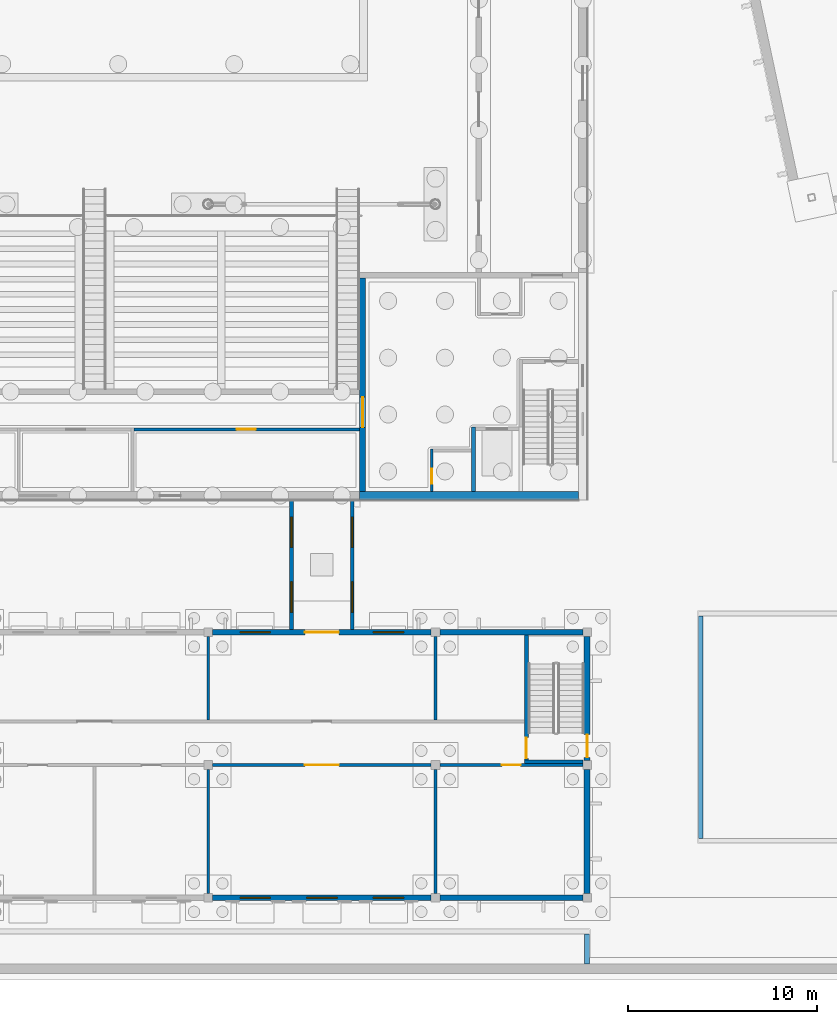
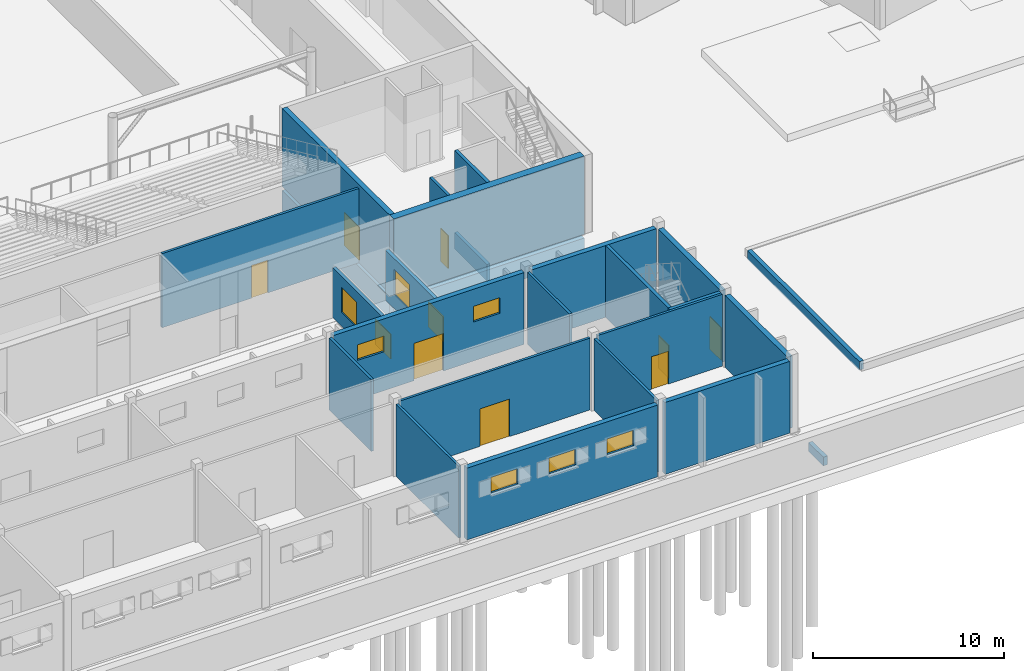
# One storey, part 100 of 157: 26 walls, 9 windows, 8 doors, 17 openings.
"""IFC4 building model written with IfcOpenShell, lengths in metres."""

from ifc_helpers import new_model, si_unit, direction, frame, frame_2d, origin, place, context, subcontext, project, spatial, rectangle, extrude, material, layer, layer_set, type_object, element, fill, save


model = new_model("IFC4")

# Units and contexts
model_context = context("Model", 3, precision=1e-05, world=origin(), true_north=direction((0.0, 1.0)))
body_context = subcontext(model_context, "Body", "Model", "MODEL_VIEW")
ifc_project = project(units=[si_unit("LENGTHUNIT", "METRE"), si_unit("AREAUNIT", "SQUARE_METRE"), si_unit("VOLUMEUNIT", "CUBIC_METRE"), si_unit("PLANEANGLEUNIT", "RADIAN"), si_unit("MASSUNIT", "GRAM", prefix="KILO")], contexts=[model_context])

# Site, building, storey
site_placement = place(None, origin())
site = spatial("IfcSite", under=ifc_project, at=site_placement, CompositionType="ELEMENT")
building_placement = place(site_placement, origin())
building = spatial("IfcBuilding", under=site, at=building_placement, Name="Windward Yard Aquatics Centre", CompositionType="ELEMENT")
storey_placement = place(building_placement, origin())
storey = spatial("IfcBuildingStorey", under=building, at=storey_placement, Name="L00", CompositionType="ELEMENT", Elevation=0.0)

# Wall, opening, door
ifc_material_1 = material(Name="Concrete masonry unit plastered", Category="masonry")
ifc_layer_1 = layer(ifc_material_1, 0.14990234375)
ifc_layer_set_1 = layer_set([ifc_layer_1], Name="C block partition 150")
wall_type_1 = type_object("IfcWallType", Name="C block partition 150", PredefinedType="PARTITIONING", material=ifc_layer_set_1)
wall_1_placement = place(storey_placement, frame((132.22509765625, 12.0, 0.0), z_axis=(0.0, 0.0, 1.0), x_axis=(1.0, 0.0, 0.0)))
wall_1 = element("IfcWall", 1, at=wall_1_placement, inside=storey, type_object=wall_type_1, Name="C.W.L00.SP.S.8", PredefinedType="PARTITIONING", context=body_context, shape_type="SweptSolid", body=[
    extrude(rectangle(XDim=11.5498046875, YDim=0.14990234375, at=frame_2d((5.77490234375, 0.0))), origin(), (0.0, 0.0, 1.0), 4.60009765625),
])
opening_1_placement = place(wall_1_placement, frame((4.875, 0.0, 0.0)))
opening_1 = element("IfcOpeningElement", 2, at=opening_1_placement, cuts=wall_1, Name="Opening C0013", PredefinedType="OPENING", context=body_context, shape_type="SweptSolid", body=[
    extrude(rectangle(XDim=1.800048828125, YDim=2.39990234375, at=frame_2d((0.89990234375, 1.199951171875))), frame((0.0, 0.0849609375, 0.0), z_axis=(0.0, -1.0, 0.0), x_axis=(1.0, 0.0, 0.0)), (0.0, 0.0, 1.0), 0.169921875),
])
ifc_material_2 = material(Name="Timber door leaf in steel frame", Category="steel")
door_type_1 = type_object("IfcDoorType", Name="C double door 1800X2400 FD30S", OperationType="DOUBLE_DOOR_SINGLE_SWING", PredefinedType="DOOR", material=ifc_material_2)
door_1_placement = place(opening_1_placement, origin())
door_1 = element("IfcDoor", 3, at=door_1_placement, inside=storey, type_object=door_type_1, Name="Door C0013", OperationType="DOUBLE_DOOR_SINGLE_SWING", OverallHeight=2.39990234375, OverallWidth=1.800048828125, PredefinedType="DOOR", context=body_context, shape_type="SweptSolid", body=[
    extrude(rectangle(XDim=1.800048828125, YDim=2.39990234375, at=frame_2d((0.89990234375, 1.199951171875))), frame((0.0, 0.02490234375, 0.0), z_axis=(0.0, -1.0, 0.0), x_axis=(1.0, 0.0, 0.0)), (0.0, 0.0, 1.0), 0.050048828125),
])
fill(opening_1, door_1)

wall_2_placement = place(storey_placement, frame((144.22509765625, 12.0, 0.0), z_axis=(0.0, 0.0, 1.0), x_axis=(1.0, 0.0, 0.0)))
wall_2 = element("IfcWall", 4, at=wall_2_placement, inside=storey, type_object=wall_type_1, Name="C.W.L00.SP.S.9", PredefinedType="PARTITIONING", context=body_context, shape_type="SweptSolid", body=[
    extrude(rectangle(XDim=7.5498046875, YDim=0.14990234375, at=frame_2d((3.77490234375, 0.0))), origin(), (0.0, 0.0, 1.0), 4.60009765625),
])
opening_2_placement = place(wall_2_placement, frame((3.27490234375, 0.0, 0.0)))
opening_2 = element("IfcOpeningElement", 5, at=opening_2_placement, cuts=wall_2, Name="Opening C0014", PredefinedType="OPENING", context=body_context, shape_type="SweptSolid", body=[
    extrude(rectangle(XDim=1.0, YDim=2.10009765625, at=frame_2d((0.5, 1.050048828125))), frame((0.0, 0.0849609375, 0.0), z_axis=(0.0, -1.0, 0.0), x_axis=(1.0, 0.0, 0.0)), (0.0, 0.0, 1.0), 0.169921875),
])
door_type_2 = type_object("IfcDoorType", Name="C door 1000X2100 FD30S", OperationType="SINGLE_SWING_LEFT", PredefinedType="DOOR", material=ifc_material_2)
door_2_placement = place(opening_2_placement, origin())
door_2 = element("IfcDoor", 6, at=door_2_placement, inside=storey, type_object=door_type_2, Name="Door C0014", OperationType="SINGLE_SWING_LEFT", OverallHeight=2.10009765625, OverallWidth=1.0, PredefinedType="DOOR", context=body_context, shape_type="SweptSolid", body=[
    extrude(rectangle(XDim=1.0, YDim=2.10009765625, at=frame_2d((0.5, 1.050048828125))), frame((0.0, 0.02490234375, 0.0), z_axis=(0.0, -1.0, 0.0), x_axis=(1.0, 0.0, 0.0)), (0.0, 0.0, 1.0), 0.050048828125),
])
fill(opening_2, door_2)

# Walls
for number, where, z_axis, x_axis, name in (
    (7, (132.0, 5.22509765625, 0.0), (0.0, 0.0, 1.0), (0.0, 1.0, 0.0), "C.W.L00.SD.80.1"),
    (8, (144.0, 5.22509765625, 0.0), (0.0, 0.0, 1.0), (0.0, 1.0, 0.0), "C.W.L00.SD.92.1"),
):
    element("IfcWall", number, at=place(storey_placement, frame(where, z_axis=z_axis, x_axis=x_axis)), inside=storey, type_object=wall_type_1, Name=name, PredefinedType="PARTITIONING", context=body_context, shape_type="SweptSolid", body=[
        extrude(rectangle(XDim=6.5498046875, YDim=0.14990234375, at=frame_2d((3.27490234375, 0.0))), origin(), (0.0, 0.0, 1.0), 4.60009765625),
    ])
for number, where, z_axis, x_axis, name in (
    (9, (132.0, 14.375, 0.0), (0.0, 0.0, 1.0), (0.0, 1.0, 0.0), "C.W.L00.ND.80.1"),
    (10, (144.0, 14.375, 0.0), (0.0, 0.0, 1.0), (0.0, 1.0, 0.0), "C.W.L00.ND.92.1"),
):
    element("IfcWall", number, at=place(storey_placement, frame(where, z_axis=z_axis, x_axis=x_axis)), inside=storey, type_object=wall_type_1, Name=name, PredefinedType="PARTITIONING", context=body_context, shape_type="SweptSolid", body=[
        extrude(rectangle(XDim=4.39990234375, YDim=0.14990234375, at=frame_2d((2.199951171875, 0.0))), origin(), (0.0, 0.0, 1.0), 4.60009765625),
    ])

# Wall, opening, door
ifc_material_3 = material(Name="Concrete C35/45", Category="concrete")
ifc_layer_2 = layer(ifc_material_3, 0.199951171875)
ifc_layer_set_2 = layer_set([ifc_layer_2], Name="C core enclosure wall 200")
wall_type_2 = type_object("IfcWallType", Name="C core enclosure wall 200", PredefinedType="SOLIDWALL", material=ifc_layer_set_2)
wall_3_placement = place(storey_placement, frame((148.800048828125, 12.27490234375, 0.0), z_axis=(0.0, 0.0, 1.0), x_axis=(0.0, 1.0, 0.0)))
wall_3 = element("IfcWall", 11, at=wall_3_placement, inside=storey, type_object=wall_type_2, Name="C.W.L00.SE2.D", PredefinedType="SOLIDWALL", context=body_context, shape_type="SweptSolid", body=[
    extrude(rectangle(XDim=6.5751953125, YDim=0.199951171875, at=frame_2d((3.28759765625, 0.0))), origin(), (0.0, 0.0, 1.0), 4.60009765625),
])
opening_3_placement = place(wall_3_placement, frame((0.074951171875, 0.0, 0.0)))
opening_3 = element("IfcOpeningElement", 12, at=opening_3_placement, cuts=wall_3, Name="Opening C0027", PredefinedType="OPENING", context=body_context, shape_type="SweptSolid", body=[
    extrude(rectangle(XDim=1.10009765625, YDim=2.10009765625, at=frame_2d((0.550048828125, 1.050048828125))), frame((0.0, 0.10986328125, 0.0), z_axis=(0.0, -1.0, 0.0), x_axis=(1.0, 0.0, 0.0)), (0.0, 0.0, 1.0), 0.219970703125),
])
ifc_material_4 = material(Name="Steel door leaf in steel frame", Category="steel")
door_type_3 = type_object("IfcDoorType", Name="C steel door 1100X2100 FD60", OperationType="SINGLE_SWING_LEFT", PredefinedType="DOOR", material=ifc_material_4)
door_3_placement = place(opening_3_placement, origin())
door_3 = element("IfcDoor", 13, at=door_3_placement, inside=storey, type_object=door_type_3, Name="Door C0027", OperationType="SINGLE_SWING_LEFT", OverallHeight=2.10009765625, OverallWidth=1.10009765625, PredefinedType="DOOR", context=body_context, shape_type="SweptSolid", body=[
    extrude(rectangle(XDim=1.10009765625, YDim=2.10009765625, at=frame_2d((0.550048828125, 1.050048828125))), frame((0.0, 0.02490234375, 0.0), z_axis=(0.0, -1.0, 0.0), x_axis=(1.0, 0.0, 0.0)), (0.0, 0.0, 1.0), 0.050048828125),
])
fill(opening_3, door_3)

# Wall
wall_4_placement = place(storey_placement, frame((148.699951171875, 12.175048828125, 0.0), z_axis=(0.0, 0.0, 1.0), x_axis=(1.0, 0.0, 0.0)))
element("IfcWall", 14, at=wall_4_placement, inside=storey, type_object=wall_type_2, Name="C.W.L00.SE2.S", PredefinedType="SOLIDWALL", context=body_context, shape_type="SweptSolid", body=[
    extrude(rectangle(XDim=3.074951171875, YDim=0.199951171875, at=frame_2d((1.53759765625, 0.0))), origin(), (0.0, 0.0, 1.0), 4.60009765625),
])

# Wall, openings, windows
ifc_layer_3 = layer(ifc_material_3, 0.199951171875)
ifc_layer_set_3 = layer_set([ifc_layer_3], Name="C link side wall 200")
wall_type_3 = type_object("IfcWallType", Name="C link side wall 200", PredefinedType="ELEMENTEDWALL", material=ifc_layer_set_3)
wall_5_placement = place(storey_placement, frame((136.39990234375, 19.14990234375, 0.0), z_axis=(0.0, 0.0, 1.0), x_axis=(0.0, 1.0, 0.0)))
wall_5 = element("IfcWall", 15, at=wall_5_placement, inside=storey, type_object=wall_type_3, Name="C.W.X.V4V1.3.N", PredefinedType="ELEMENTEDWALL", context=body_context, shape_type="SweptSolid", body=[
    extrude(rectangle(XDim=6.85009765625, YDim=0.199951171875, at=frame_2d((3.425048828125, 0.0))), origin(), (0.0, 0.0, 1.0), 3.199951171875),
])
opening_4_placement = place(wall_5_placement, frame((0.91259765625, 0.0, 0.89990234375)))
opening_4 = element("IfcOpeningElement", 16, at=opening_4_placement, cuts=wall_5, Name="Opening CW0046", PredefinedType="OPENING", context=body_context, shape_type="SweptSolid", body=[
    extrude(rectangle(XDim=1.60009765625, YDim=1.60009765625, at=frame_2d((0.800048828125, 0.800048828125))), frame((0.0, 0.10986328125, 0.0), z_axis=(0.0, -1.0, 0.0), x_axis=(1.0, 0.0, 0.0)), (0.0, 0.0, 1.0), 0.219970703125),
])
opening_5_placement = place(wall_5_placement, frame((4.33740234375, 0.0, 0.89990234375)))
opening_5 = element("IfcOpeningElement", 17, at=opening_5_placement, cuts=wall_5, Name="Opening CW0047", PredefinedType="OPENING", context=body_context, shape_type="SweptSolid", body=[
    extrude(rectangle(XDim=1.60009765625, YDim=1.60009765625, at=frame_2d((0.800048828125, 0.800048828125))), frame((0.0, 0.10986328125, 0.0), z_axis=(0.0, -1.0, 0.0), x_axis=(1.0, 0.0, 0.0)), (0.0, 0.0, 1.0), 0.219970703125),
])
ifc_material_5 = material(Name="Aluminium framed double glazing", Category="aluminium")
window_type_1 = type_object("IfcWindowType", Name="C window 1600X1600", PartitioningType="SINGLE_PANEL", PredefinedType="WINDOW", material=ifc_material_5)
window_1_placement = place(opening_4_placement, origin())
window_1 = element("IfcWindow", 18, at=window_1_placement, inside=storey, type_object=window_type_1, Name="Window CW0046", OverallHeight=1.60009765625, OverallWidth=1.60009765625, PartitioningType="SINGLE_PANEL", PredefinedType="WINDOW", context=body_context, shape_type="SweptSolid", body=[
    extrude(rectangle(XDim=1.60009765625, YDim=1.60009765625, at=frame_2d((0.800048828125, 0.800048828125))), frame((0.0, 0.030029296875, 0.0), z_axis=(0.0, -1.0, 0.0), x_axis=(1.0, 0.0, 0.0)), (0.0, 0.0, 1.0), 0.06005859375),
])
fill(opening_4, window_1)
window_2_placement = place(opening_5_placement, origin())
window_2 = element("IfcWindow", 19, at=window_2_placement, inside=storey, type_object=window_type_1, Name="Window CW0047", OverallHeight=1.60009765625, OverallWidth=1.60009765625, PartitioningType="SINGLE_PANEL", PredefinedType="WINDOW", context=body_context, shape_type="SweptSolid", body=[
    extrude(rectangle(XDim=1.60009765625, YDim=1.60009765625, at=frame_2d((0.800048828125, 0.800048828125))), frame((0.0, 0.030029296875, 0.0), z_axis=(0.0, -1.0, 0.0), x_axis=(1.0, 0.0, 0.0)), (0.0, 0.0, 1.0), 0.06005859375),
])
fill(opening_5, window_2)

wall_6_placement = place(storey_placement, frame((139.60009765625, 19.14990234375, 0.0), z_axis=(0.0, 0.0, 1.0), x_axis=(0.0, 1.0, 0.0)))
wall_6 = element("IfcWall", 20, at=wall_6_placement, inside=storey, type_object=wall_type_3, Name="C.W.X.V4V1.3.S", PredefinedType="ELEMENTEDWALL", context=body_context, shape_type="SweptSolid", body=[
    extrude(rectangle(XDim=6.85009765625, YDim=0.199951171875, at=frame_2d((3.425048828125, 0.0))), origin(), (0.0, 0.0, 1.0), 3.199951171875),
])
opening_6_placement = place(wall_6_placement, frame((0.91259765625, 0.0, 0.89990234375)))
opening_6 = element("IfcOpeningElement", 21, at=opening_6_placement, cuts=wall_6, Name="Opening CW0048", PredefinedType="OPENING", context=body_context, shape_type="SweptSolid", body=[
    extrude(rectangle(XDim=1.60009765625, YDim=1.60009765625, at=frame_2d((0.800048828125, 0.800048828125))), frame((0.0, 0.10986328125, 0.0), z_axis=(0.0, -1.0, 0.0), x_axis=(1.0, 0.0, 0.0)), (0.0, 0.0, 1.0), 0.219970703125),
])
opening_7_placement = place(wall_6_placement, frame((4.33740234375, 0.0, 0.89990234375)))
opening_7 = element("IfcOpeningElement", 22, at=opening_7_placement, cuts=wall_6, Name="Opening CW0049", PredefinedType="OPENING", context=body_context, shape_type="SweptSolid", body=[
    extrude(rectangle(XDim=1.60009765625, YDim=1.60009765625, at=frame_2d((0.800048828125, 0.800048828125))), frame((0.0, 0.10986328125, 0.0), z_axis=(0.0, -1.0, 0.0), x_axis=(1.0, 0.0, 0.0)), (0.0, 0.0, 1.0), 0.219970703125),
])
window_3_placement = place(opening_6_placement, origin())
window_3 = element("IfcWindow", 23, at=window_3_placement, inside=storey, type_object=window_type_1, Name="Window CW0048", OverallHeight=1.60009765625, OverallWidth=1.60009765625, PartitioningType="SINGLE_PANEL", PredefinedType="WINDOW", context=body_context, shape_type="SweptSolid", body=[
    extrude(rectangle(XDim=1.60009765625, YDim=1.60009765625, at=frame_2d((0.800048828125, 0.800048828125))), frame((0.0, 0.030029296875, 0.0), z_axis=(0.0, -1.0, 0.0), x_axis=(1.0, 0.0, 0.0)), (0.0, 0.0, 1.0), 0.06005859375),
])
fill(opening_6, window_3)
window_4_placement = place(opening_7_placement, origin())
window_4 = element("IfcWindow", 24, at=window_4_placement, inside=storey, type_object=window_type_1, Name="Window CW0049", OverallHeight=1.60009765625, OverallWidth=1.60009765625, PartitioningType="SINGLE_PANEL", PredefinedType="WINDOW", context=body_context, shape_type="SweptSolid", body=[
    extrude(rectangle(XDim=1.60009765625, YDim=1.60009765625, at=frame_2d((0.800048828125, 0.800048828125))), frame((0.0, 0.030029296875, 0.0), z_axis=(0.0, -1.0, 0.0), x_axis=(1.0, 0.0, 0.0)), (0.0, 0.0, 1.0), 0.06005859375),
])
fill(opening_7, window_4)

ifc_material_6 = material(Name="Natural stone cladding", Category="masonry")
ifc_layer_4 = layer(ifc_material_6, 0.04, Name="Cladding")
ifc_material_7 = material(Name="Ventilated air cavity")
ifc_layer_5 = layer(ifc_material_7, 0.04, ventilated=True, Name="Ventilated cavity")
ifc_material_8 = material(Name="Mineral wool insulation")
ifc_layer_6 = layer(ifc_material_8, 0.06, Name="Insulation")
ifc_layer_7 = layer(ifc_material_3, 0.16, Name="Structure")
ifc_layer_set_4 = layer_set([ifc_layer_4, ifc_layer_5, ifc_layer_6, ifc_layer_7], Name="C stone-faced external wall 300")
wall_type_4 = type_object("IfcWallType", Name="C stone-faced external wall 300", PredefinedType="ELEMENTEDWALL", material=ifc_layer_set_4)
wall_7_placement = place(storey_placement, frame((132.22509765625, 5.0, 0.0), z_axis=(0.0, 0.0, 1.0), x_axis=(1.0, 0.0, 0.0)))
wall_7 = element("IfcWall", 25, at=wall_7_placement, inside=storey, type_object=wall_type_4, Name="C.W.L00.S8", PredefinedType="ELEMENTEDWALL", context=body_context, shape_type="SweptSolid", body=[
    extrude(rectangle(XDim=11.5498046875, YDim=0.300048828125, at=frame_2d((5.77490234375, 0.0))), origin(), (0.0, 0.0, 1.0), 4.60009765625),
])
opening_8_placement = place(wall_7_placement, frame((1.458251953125, 0.0, 2.5)))
opening_8 = element("IfcOpeningElement", 26, at=opening_8_placement, cuts=wall_7, Name="Opening CW0018", PredefinedType="OPENING", context=body_context, shape_type="SweptSolid", body=[
    extrude(rectangle(XDim=1.60009765625, YDim=1.0, at=frame_2d((0.800048828125, 0.5))), frame((0.0, 0.16015625, 0.0), z_axis=(0.0, -1.0, 0.0), x_axis=(1.0, 0.0, 0.0)), (0.0, 0.0, 1.0), 0.320068359375),
])
opening_9_placement = place(wall_7_placement, frame((4.97509765625, 0.0, 2.5)))
opening_9 = element("IfcOpeningElement", 27, at=opening_9_placement, cuts=wall_7, Name="Opening CW0019", PredefinedType="OPENING", context=body_context, shape_type="SweptSolid", body=[
    extrude(rectangle(XDim=1.60009765625, YDim=1.0, at=frame_2d((0.800048828125, 0.5))), frame((0.0, 0.16015625, 0.0), z_axis=(0.0, -1.0, 0.0), x_axis=(1.0, 0.0, 0.0)), (0.0, 0.0, 1.0), 0.320068359375),
])
opening_10_placement = place(wall_7_placement, frame((8.49169921875, 0.0, 2.5)))
opening_10 = element("IfcOpeningElement", 28, at=opening_10_placement, cuts=wall_7, Name="Opening CW0020", PredefinedType="OPENING", context=body_context, shape_type="SweptSolid", body=[
    extrude(rectangle(XDim=1.60009765625, YDim=1.0, at=frame_2d((0.800048828125, 0.5))), frame((0.0, 0.16015625, 0.0), z_axis=(0.0, -1.0, 0.0), x_axis=(1.0, 0.0, 0.0)), (0.0, 0.0, 1.0), 0.320068359375),
])
window_type_2 = type_object("IfcWindowType", Name="C window 1600X1000", PartitioningType="SINGLE_PANEL", PredefinedType="WINDOW", material=ifc_material_5)
window_5_placement = place(opening_8_placement, origin())
window_5 = element("IfcWindow", 29, at=window_5_placement, inside=storey, type_object=window_type_2, Name="Window CW0018", OverallHeight=1.0, OverallWidth=1.60009765625, PartitioningType="SINGLE_PANEL", PredefinedType="WINDOW", context=body_context, shape_type="SweptSolid", body=[
    extrude(rectangle(XDim=1.60009765625, YDim=1.0, at=frame_2d((0.800048828125, 0.5))), frame((0.0, 0.030029296875, 0.0), z_axis=(0.0, -1.0, 0.0), x_axis=(1.0, 0.0, 0.0)), (0.0, 0.0, 1.0), 0.06005859375),
])
fill(opening_8, window_5)
window_6_placement = place(opening_9_placement, origin())
window_6 = element("IfcWindow", 30, at=window_6_placement, inside=storey, type_object=window_type_2, Name="Window CW0019", OverallHeight=1.0, OverallWidth=1.60009765625, PartitioningType="SINGLE_PANEL", PredefinedType="WINDOW", context=body_context, shape_type="SweptSolid", body=[
    extrude(rectangle(XDim=1.60009765625, YDim=1.0, at=frame_2d((0.800048828125, 0.5))), frame((0.0, 0.030029296875, 0.0), z_axis=(0.0, -1.0, 0.0), x_axis=(1.0, 0.0, 0.0)), (0.0, 0.0, 1.0), 0.06005859375),
])
fill(opening_9, window_6)
window_7_placement = place(opening_10_placement, origin())
window_7 = element("IfcWindow", 31, at=window_7_placement, inside=storey, type_object=window_type_2, Name="Window CW0020", OverallHeight=1.0, OverallWidth=1.60009765625, PartitioningType="SINGLE_PANEL", PredefinedType="WINDOW", context=body_context, shape_type="SweptSolid", body=[
    extrude(rectangle(XDim=1.60009765625, YDim=1.0, at=frame_2d((0.800048828125, 0.5))), frame((0.0, 0.030029296875, 0.0), z_axis=(0.0, -1.0, 0.0), x_axis=(1.0, 0.0, 0.0)), (0.0, 0.0, 1.0), 0.06005859375),
])
fill(opening_10, window_7)

# Wall
wall_8_placement = place(storey_placement, frame((144.22509765625, 5.0, 0.0), z_axis=(0.0, 0.0, 1.0), x_axis=(1.0, 0.0, 0.0)))
element("IfcWall", 32, at=wall_8_placement, inside=storey, type_object=wall_type_4, Name="C.W.L00.S9", PredefinedType="ELEMENTEDWALL", context=body_context, shape_type="SweptSolid", body=[
    extrude(rectangle(XDim=7.5498046875, YDim=0.300048828125, at=frame_2d((3.77490234375, 0.0))), origin(), (0.0, 0.0, 1.0), 4.60009765625),
])

# Wall, openings, door, windows
wall_9_placement = place(storey_placement, frame((132.22509765625, 19.0, 0.0), z_axis=(0.0, 0.0, 1.0), x_axis=(1.0, 0.0, 0.0)))
wall_9 = element("IfcWall", 33, at=wall_9_placement, inside=storey, type_object=wall_type_4, Name="C.W.L00.N8", PredefinedType="ELEMENTEDWALL", context=body_context, shape_type="SweptSolid", body=[
    extrude(rectangle(XDim=11.5498046875, YDim=0.300048828125, at=frame_2d((5.77490234375, 0.0))), origin(), (0.0, 0.0, 1.0), 4.60009765625),
])
opening_11_placement = place(wall_9_placement, frame((1.458251953125, 0.0, 2.5)))
opening_11 = element("IfcOpeningElement", 34, at=opening_11_placement, cuts=wall_9, Name="Opening CW0036", PredefinedType="OPENING", context=body_context, shape_type="SweptSolid", body=[
    extrude(rectangle(XDim=1.60009765625, YDim=1.0, at=frame_2d((0.800048828125, 0.5))), frame((0.0, 0.16015625, 0.0), z_axis=(0.0, -1.0, 0.0), x_axis=(1.0, 0.0, 0.0)), (0.0, 0.0, 1.0), 0.320068359375),
])
opening_12_placement = place(wall_9_placement, frame((8.49169921875, 0.0, 2.5)))
opening_12 = element("IfcOpeningElement", 35, at=opening_12_placement, cuts=wall_9, Name="Opening CW0037", PredefinedType="OPENING", context=body_context, shape_type="SweptSolid", body=[
    extrude(rectangle(XDim=1.60009765625, YDim=1.0, at=frame_2d((0.800048828125, 0.5))), frame((0.0, 0.16015625, 0.0), z_axis=(0.0, -1.0, 0.0), x_axis=(1.0, 0.0, 0.0)), (0.0, 0.0, 1.0), 0.320068359375),
])
opening_13_placement = place(wall_9_placement, frame((4.875, 0.0, 0.0)))
opening_13 = element("IfcOpeningElement", 36, at=opening_13_placement, cuts=wall_9, Name="Opening C0005", PredefinedType="OPENING", context=body_context, shape_type="SweptSolid", body=[
    extrude(rectangle(XDim=1.800048828125, YDim=2.39990234375, at=frame_2d((0.89990234375, 1.199951171875))), frame((0.0, 0.16015625, 0.0), z_axis=(0.0, -1.0, 0.0), x_axis=(1.0, 0.0, 0.0)), (0.0, 0.0, 1.0), 0.320068359375),
])
door_4_placement = place(opening_13_placement, origin())
door_4 = element("IfcDoor", 37, at=door_4_placement, inside=storey, type_object=door_type_1, Name="Link door to the pool hall", OperationType="DOUBLE_DOOR_SINGLE_SWING", OverallHeight=2.39990234375, OverallWidth=1.800048828125, PredefinedType="DOOR", context=body_context, shape_type="SweptSolid", body=[
    extrude(rectangle(XDim=1.800048828125, YDim=2.39990234375, at=frame_2d((0.89990234375, 1.199951171875))), frame((0.0, 0.02490234375, 0.0), z_axis=(0.0, -1.0, 0.0), x_axis=(1.0, 0.0, 0.0)), (0.0, 0.0, 1.0), 0.050048828125),
])
fill(opening_13, door_4)
window_8_placement = place(opening_11_placement, origin())
window_8 = element("IfcWindow", 38, at=window_8_placement, inside=storey, type_object=window_type_2, Name="Window CW0036", OverallHeight=1.0, OverallWidth=1.60009765625, PartitioningType="SINGLE_PANEL", PredefinedType="WINDOW", context=body_context, shape_type="SweptSolid", body=[
    extrude(rectangle(XDim=1.60009765625, YDim=1.0, at=frame_2d((0.800048828125, 0.5))), frame((0.0, 0.030029296875, 0.0), z_axis=(0.0, -1.0, 0.0), x_axis=(1.0, 0.0, 0.0)), (0.0, 0.0, 1.0), 0.06005859375),
])
fill(opening_11, window_8)
window_9_placement = place(opening_12_placement, origin())
window_9 = element("IfcWindow", 39, at=window_9_placement, inside=storey, type_object=window_type_2, Name="Window CW0037", OverallHeight=1.0, OverallWidth=1.60009765625, PartitioningType="SINGLE_PANEL", PredefinedType="WINDOW", context=body_context, shape_type="SweptSolid", body=[
    extrude(rectangle(XDim=1.60009765625, YDim=1.0, at=frame_2d((0.800048828125, 0.5))), frame((0.0, 0.030029296875, 0.0), z_axis=(0.0, -1.0, 0.0), x_axis=(1.0, 0.0, 0.0)), (0.0, 0.0, 1.0), 0.06005859375),
])
fill(opening_12, window_9)

# Walls
wall_10_placement = place(storey_placement, frame((144.22509765625, 19.0, 0.0), z_axis=(0.0, 0.0, 1.0), x_axis=(1.0, 0.0, 0.0)))
element("IfcWall", 40, at=wall_10_placement, inside=storey, type_object=wall_type_4, Name="C.W.L00.N9", PredefinedType="ELEMENTEDWALL", context=body_context, shape_type="SweptSolid", body=[
    extrude(rectangle(XDim=7.5498046875, YDim=0.300048828125, at=frame_2d((3.77490234375, 0.0))), origin(), (0.0, 0.0, 1.0), 4.60009765625),
])
wall_11_placement = place(storey_placement, frame((152.0, 5.22509765625, 0.0), z_axis=(0.0, 0.0, 1.0), x_axis=(0.0, 1.0, 0.0)))
element("IfcWall", 41, at=wall_11_placement, inside=storey, type_object=wall_type_4, Name="C.W.L00.E1", PredefinedType="ELEMENTEDWALL", context=body_context, shape_type="SweptSolid", body=[
    extrude(rectangle(XDim=6.5498046875, YDim=0.300048828125, at=frame_2d((3.27490234375, 0.0))), origin(), (0.0, 0.0, 1.0), 4.60009765625),
])

# Wall, opening, door
wall_12_placement = place(storey_placement, frame((152.0, 12.22509765625, 0.0), z_axis=(0.0, 0.0, 1.0), x_axis=(0.0, 1.0, 0.0)))
wall_12 = element("IfcWall", 42, at=wall_12_placement, inside=storey, type_object=wall_type_4, Name="C.W.L00.E2", PredefinedType="ELEMENTEDWALL", context=body_context, shape_type="SweptSolid", body=[
    extrude(rectangle(XDim=6.5498046875, YDim=0.300048828125, at=frame_2d((3.27490234375, 0.0))), origin(), (0.0, 0.0, 1.0), 4.60009765625),
])
opening_14_placement = place(wall_12_placement, frame((1.375, 0.0, 0.0), z_axis=(0.0, 0.0, 1.0), x_axis=(-1.0, 0.0, 0.0)))
opening_14 = element("IfcOpeningElement", 43, at=opening_14_placement, cuts=wall_12, Name="Opening C0002", PredefinedType="OPENING", context=body_context, shape_type="SweptSolid", body=[
    extrude(rectangle(XDim=1.199951171875, YDim=2.10009765625, at=frame_2d((0.60009765625, 1.050048828125))), frame((0.0, 0.16015625, 0.0), z_axis=(0.0, -1.0, 0.0), x_axis=(1.0, 0.0, 0.0)), (0.0, 0.0, 1.0), 0.320068359375),
])
door_type_4 = type_object("IfcDoorType", Name="C steel door 1200X2100 FD60", OperationType="SINGLE_SWING_LEFT", PredefinedType="DOOR", material=ifc_material_4)
door_5_placement = place(opening_14_placement, origin())
door_5 = element("IfcDoor", 44, at=door_5_placement, inside=storey, type_object=door_type_4, Name="Stair 2 exit door", OperationType="SINGLE_SWING_LEFT", OverallHeight=2.10009765625, OverallWidth=1.199951171875, PredefinedType="DOOR", context=body_context, shape_type="SweptSolid", body=[
    extrude(rectangle(XDim=1.199951171875, YDim=2.10009765625, at=frame_2d((0.60009765625, 1.050048828125))), frame((0.0, 0.02490234375, 0.0), z_axis=(0.0, -1.0, 0.0), x_axis=(1.0, 0.0, 0.0)), (0.0, 0.0, 1.0), 0.050048828125),
])
fill(opening_14, door_5)

# Walls
ifc_layer_8 = layer(ifc_material_3, 0.199951171875)
ifc_layer_set_5 = layer_set([ifc_layer_8], Name="H Enclosure Wall Concrete C35/45 200")
wall_type_5 = type_object("IfcWallType", Name="H Enclosure Wall Concrete C35/45 200", PredefinedType="SOLIDWALL", material=ifc_layer_set_5)
wall_13_placement = place(storey_placement, frame((146.0, 26.449951171875, 0.0), z_axis=(0.0, 0.0, 1.0), x_axis=(0.0, 1.0, 0.0)))
element("IfcWall", 45, at=wall_13_placement, inside=storey, type_object=wall_type_5, Name="L00 W3 enclosure wall SE", PredefinedType="SOLIDWALL", context=body_context, shape_type="SweptSolid", body=[
    extrude(rectangle(XDim=3.400146484375, YDim=0.199951171875, at=frame_2d((1.7001953125, 0.0))), origin(), (0.0, 0.0, 1.0), 5.0),
])
ifc_layer_9 = layer(ifc_material_3, 0.199951171875)
ifc_layer_set_6 = layer_set([ifc_layer_9], Name="H Lift Pit Wall Concrete C35/45 200")
wall_type_6 = type_object("IfcWallType", Name="H Lift Pit Wall Concrete C35/45 200", PredefinedType="SOLIDWALL", material=ifc_layer_set_6)
wall_14_placement = place(storey_placement, frame((146.0, 26.449951171875, -1.300048828125), z_axis=(0.0, 0.0, 1.0), x_axis=(0.0, 1.0, 0.0)))
element("IfcWall", 46, at=wall_14_placement, inside=storey, type_object=wall_type_6, Name="Lift pit wall P3 SE", PredefinedType="SOLIDWALL", context=body_context, shape_type="SweptSolid", body=[
    extrude(rectangle(XDim=3.400146484375, YDim=0.199951171875, at=frame_2d((1.7001953125, 0.0))), origin(), (0.0, 0.0, 1.0), 1.050048828125),
])

# Wall, opening, door
ifc_material_9 = material(Name="Blockwork 150 mm", Category="masonry")
ifc_layer_10 = layer(ifc_material_9, 0.14990234375)
ifc_layer_set_7 = layer_set([ifc_layer_10], Name="H Partition Blockwork 150")
wall_type_7 = type_object("IfcWallType", Name="H Partition Blockwork 150", PredefinedType="PARTITIONING", material=ifc_layer_set_7)
wall_15_placement = place(storey_placement, frame((143.800048828125, 26.449951171875, 0.0), z_axis=(0.0, 0.0, 1.0), x_axis=(0.0, 1.0, 0.0)))
wall_15 = element("IfcWall", 47, at=wall_15_placement, inside=storey, type_object=wall_type_7, Name="L00 R1E riser wall SE", PredefinedType="PARTITIONING", context=body_context, shape_type="SweptSolid", body=[
    extrude(rectangle(XDim=2.22509765625, YDim=0.14990234375, at=frame_2d((1.112548828125, 0.0))), origin(), (0.0, 0.0, 1.0), 4.75),
])
opening_15_placement = place(wall_15_placement, frame((0.39990234375, 0.0, 0.0)))
opening_15 = element("IfcOpeningElement", 48, at=opening_15_placement, cuts=wall_15, Name="Opening H0010", PredefinedType="OPENING", context=body_context, shape_type="SweptSolid", body=[
    extrude(rectangle(XDim=0.800048828125, YDim=2.10009765625, at=frame_2d((0.39990234375, 1.050048828125))), frame((0.0, 0.0849609375, 0.0), z_axis=(0.0, -1.0, 0.0), x_axis=(1.0, 0.0, 0.0)), (0.0, 0.0, 1.0), 0.169921875),
])
ifc_material_10 = material(Name="Steel and timber door leaf", Category="steel")
door_type_5 = type_object("IfcDoorType", Name="H Door Riser 800 x 2100 FD60", OperationType="NOTDEFINED", PredefinedType="DOOR", material=ifc_material_10)
door_6_placement = place(opening_15_placement, origin())
door_6 = element("IfcDoor", 49, at=door_6_placement, inside=storey, type_object=door_type_5, Name="L00 electrical riser SE door", OperationType="SINGLE_SWING_LEFT", OverallHeight=2.10009765625, OverallWidth=0.800048828125, PredefinedType="DOOR", context=body_context, shape_type="SweptSolid", body=[
    extrude(rectangle(XDim=0.800048828125, YDim=2.10009765625, at=frame_2d((0.39990234375, 1.050048828125))), frame((0.0, 0.02490234375, 0.0), z_axis=(0.0, -1.0, 0.0), x_axis=(1.0, 0.0, 0.0)), (0.0, 0.0, 1.0), 0.050048828125),
])
fill(opening_15, door_6)

wall_16_placement = place(storey_placement, frame((128.074951171875, 29.719970703125, 0.0), z_axis=(0.0, 0.0, 1.0), x_axis=(1.0, 0.0, 0.0)))
wall_16 = element("IfcWall", 50, at=wall_16_placement, inside=storey, type_object=wall_type_7, Name="L00 partition Media Workroom", PredefinedType="PARTITIONING", context=body_context, shape_type="SweptSolid", body=[
    extrude(rectangle(XDim=11.925048828125, YDim=0.14990234375, at=frame_2d((5.96240234375, 0.0))), origin(), (0.0, 0.0, 1.0), 4.75),
])
opening_16_placement = place(wall_16_placement, frame((5.425048828125, 0.0, 0.0)))
opening_16 = element("IfcOpeningElement", 51, at=opening_16_placement, cuts=wall_16, Name="Opening H0037", PredefinedType="OPENING", context=body_context, shape_type="SweptSolid", body=[
    extrude(rectangle(XDim=1.0, YDim=2.10009765625, at=frame_2d((0.5, 1.050048828125))), frame((0.0, 0.0849609375, 0.0), z_axis=(0.0, -1.0, 0.0), x_axis=(1.0, 0.0, 0.0)), (0.0, 0.0, 1.0), 0.169921875),
])
door_type_6 = type_object("IfcDoorType", Name="H Door Single 1000 x 2100 FD30S", OperationType="NOTDEFINED", PredefinedType="DOOR", material=ifc_material_10)
door_7_placement = place(opening_16_placement, origin())
door_7 = element("IfcDoor", 52, at=door_7_placement, inside=storey, type_object=door_type_6, Name="L00 Media Workroom door", OperationType="SINGLE_SWING_RIGHT", OverallHeight=2.10009765625, OverallWidth=1.0, PredefinedType="DOOR", context=body_context, shape_type="SweptSolid", body=[
    extrude(rectangle(XDim=1.0, YDim=2.10009765625, at=frame_2d((0.5, 1.050048828125))), frame((0.0, 0.02490234375, 0.0), z_axis=(0.0, -1.0, 0.0), x_axis=(1.0, 0.0, 0.0)), (0.0, 0.0, 1.0), 0.050048828125),
])
fill(opening_16, door_7)

# Walls
ifc_layer_11 = layer(ifc_material_6, 0.04, Name="Cladding")
ifc_layer_12 = layer(ifc_material_7, 0.05, ventilated=True, Name="Ventilated cavity")
ifc_layer_13 = layer(ifc_material_8, 0.08, Name="Insulation")
ifc_layer_14 = layer(ifc_material_3, 0.28, Name="Structure")
ifc_layer_set_8 = layer_set([ifc_layer_11, ifc_layer_12, ifc_layer_13, ifc_layer_14], Name="H plinth wall stone faced 450 C35/45")
wall_type_8 = type_object("IfcWallType", Name="H plinth wall stone faced 450 C35/45", PredefinedType="ELEMENTEDWALL", material=ifc_layer_set_8)
wall_17_placement = place(storey_placement, frame((151.550048828125, 26.22509765625, -1.60009765625), z_axis=(0.0, 0.0, 1.0), x_axis=(-1.0, 0.0, 0.0)))
element("IfcWall", 53, at=wall_17_placement, inside=storey, type_object=wall_type_8, Name="H.CW.SE.S.PIT", PredefinedType="ELEMENTEDWALL", context=body_context, shape_type="SweptSolid", body=[
    extrude(rectangle(XDim=11.550048828125, YDim=0.449951171875, at=frame_2d((5.77490234375, 0.0))), origin(), (0.0, 0.0, 1.0), 1.35009765625),
])
wall_18_placement = place(storey_placement, frame((151.550048828125, 26.22509765625, 0.0), z_axis=(0.0, 0.0, 1.0), x_axis=(-1.0, 0.0, 0.0)))
element("IfcWall", 54, at=wall_18_placement, inside=storey, type_object=wall_type_8, Name="H.CW.SE.S.L00", PredefinedType="ELEMENTEDWALL", context=body_context, shape_type="SweptSolid", body=[
    extrude(rectangle(XDim=11.550048828125, YDim=0.449951171875, at=frame_2d((5.77490234375, 0.0))), origin(), (0.0, 0.0, 1.0), 5.0),
])
ifc_layer_15 = layer(ifc_material_3, 0.300048828125)
ifc_layer_set_9 = layer_set([ifc_layer_15], Name="H rear wall 300 C35/45")
wall_type_9 = type_object("IfcWallType", Name="H rear wall 300 C35/45", PredefinedType="SOLIDWALL", material=ifc_layer_set_9)
wall_19_placement = place(storey_placement, frame((140.14990234375, 26.449951171875, -1.60009765625), z_axis=(0.0, 0.0, 1.0), x_axis=(0.0, 1.0, 0.0)))
element("IfcWall", 55, at=wall_19_placement, inside=storey, type_object=wall_type_9, Name="H.CW.SE.W.PIT", PredefinedType="SOLIDWALL", context=body_context, shape_type="SweptSolid", body=[
    extrude(rectangle(XDim=11.25, YDim=0.300048828125, at=frame_2d((5.625, 0.0))), origin(), (0.0, 0.0, 1.0), 1.35009765625),
])

# Wall, opening, door
wall_20_placement = place(storey_placement, frame((140.14990234375, 26.449951171875, 0.0), z_axis=(0.0, 0.0, 1.0), x_axis=(0.0, 1.0, 0.0)))
wall_20 = element("IfcWall", 56, at=wall_20_placement, inside=storey, type_object=wall_type_9, Name="H.CW.SE.W.L00", PredefinedType="SOLIDWALL", context=body_context, shape_type="SweptSolid", body=[
    extrude(rectangle(XDim=11.25, YDim=0.300048828125, at=frame_2d((5.625, 0.0))), origin(), (0.0, 0.0, 1.0), 5.0),
])
opening_17_placement = place(wall_20_placement, frame((3.3701171875, 0.0, 0.0)))
opening_17 = element("IfcOpeningElement", 57, at=opening_17_placement, cuts=wall_20, Name="Opening H0012", PredefinedType="OPENING", context=body_context, shape_type="SweptSolid", body=[
    extrude(rectangle(XDim=1.60009765625, YDim=2.10009765625, at=frame_2d((0.800048828125, 1.050048828125))), frame((0.0, 0.16015625, 0.0), z_axis=(0.0, -1.0, 0.0), x_axis=(1.0, 0.0, 0.0)), (0.0, 0.0, 1.0), 0.320068359375),
])
door_type_7 = type_object("IfcDoorType", Name="H Door Double 1600 x 2100 FD60", OperationType="DOUBLE_DOOR_SINGLE_SWING", PredefinedType="DOOR", material=ifc_material_10)
door_8_placement = place(opening_17_placement, origin())
door_8 = element("IfcDoor", 58, at=door_8_placement, inside=storey, type_object=door_type_7, Name="L00 core SE door to strip", OperationType="DOUBLE_DOOR_SINGLE_SWING", OverallHeight=2.10009765625, OverallWidth=1.60009765625, PredefinedType="DOOR", context=body_context, shape_type="SweptSolid", body=[
    extrude(rectangle(XDim=1.60009765625, YDim=2.10009765625, at=frame_2d((0.800048828125, 1.050048828125))), frame((0.0, 0.02490234375, 0.0), z_axis=(0.0, -1.0, 0.0), x_axis=(1.0, 0.0, 0.0)), (0.0, 0.0, 1.0), 0.050048828125),
])
fill(opening_17, door_8)

# Walls
ifc_material_11 = material(Name="Bituminous waterproofing membrane with root barrier")
ifc_layer_16 = layer(ifc_material_11, 0.005, Name="Waterproofing and root barrier")
ifc_material_12 = material(Name="Concrete C30/37", Category="concrete")
ifc_layer_17 = layer(ifc_material_12, 0.245, Name="Structure")
ifc_layer_set_10 = layer_set([ifc_layer_16, ifc_layer_17], Name="X Planter Wall Concrete C30/37 250 x 550")
wall_type_10 = type_object("IfcWallType", Name="X Planter Wall Concrete C30/37 250 x 550", PredefinedType="USERDEFINED", material=ifc_layer_set_10)
wall_21_placement = place(storey_placement, frame((158.0, 8.125, -0.10009765625), z_axis=(0.0, 0.0, 1.0), x_axis=(0.0, 1.0, 0.0)))
element("IfcWall", 59, at=wall_21_placement, inside=storey, type_object=wall_type_10, Name="East shade garden planter wall", ObjectType="PLANTER WALL", PredefinedType="USERDEFINED", context=body_context, shape_type="SweptSolid", body=[
    extrude(rectangle(XDim=11.75, YDim=0.25, at=frame_2d((5.875, 0.0))), origin(), (0.0, 0.0, 1.0), 0.550048828125),
])
wall_22_placement = place(storey_placement, frame((152.0, 1.5, -0.10009765625), z_axis=(0.0, 0.0, 1.0), x_axis=(0.0, 1.0, 0.0)))
element("IfcWall", 60, at=wall_22_placement, inside=storey, type_object=wall_type_10, Name="Rail side berm east planter wall", ObjectType="PLANTER WALL", PredefinedType="USERDEFINED", context=body_context, shape_type="SweptSolid", body=[
    extrude(rectangle(XDim=1.574951171875, YDim=0.25, at=frame_2d((0.78759765625, 0.0))), origin(), (0.0, 0.0, 1.0), 0.550048828125),
])

save(model, "model.ifc")
